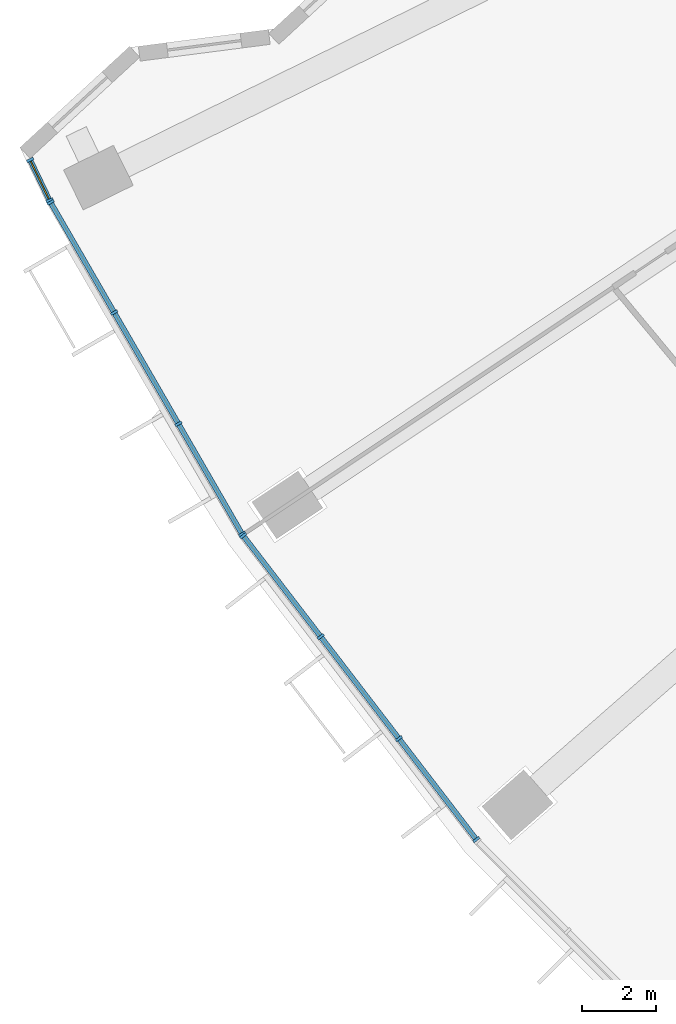
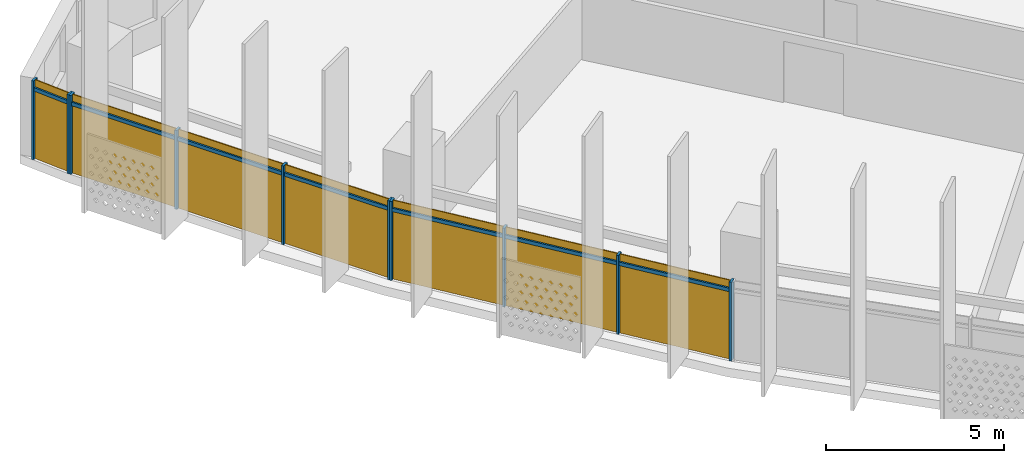
# One storey, part 20 of 33: 17 members, 3 curtain walls.
"""IFC4 building model written with IfcOpenShell, lengths in metres."""

from ifc_helpers import new_model, si_unit, direction, frame, origin, origin_2d, place, context, subcontext, project, spatial, rectangle, extrude, material, material_profile, profile_set, type_object, element, aggregate, save


model = new_model("IFC4")

# Units and contexts
model_context = context("Model", 3, precision=1e-05, world=origin(), true_north=direction((0.0, 1.0)))
body_context = subcontext(model_context, "Body", "Model", "MODEL_VIEW")
ifc_project = project(units=[si_unit("LENGTHUNIT", "METRE"), si_unit("AREAUNIT", "SQUARE_METRE"), si_unit("VOLUMEUNIT", "CUBIC_METRE"), si_unit("PLANEANGLEUNIT", "RADIAN"), si_unit("MASSUNIT", "GRAM", prefix="KILO")], contexts=[model_context])

# Member
ifc_material = material(Name="Aluminium 6063-T6 anodised", Category="aluminium")
ifc_material_profile_1 = material_profile(ifc_material, rectangle(XDim=0.199951171875, YDim=0.070068359375, at=origin_2d()))
ifc_profile_set_1 = profile_set([ifc_material_profile_1], Name="Aluminium 6063-T6 anodised")
member_type_1 = type_object("IfcMemberType", Name="Mullion 70 x 200 aluminium", PredefinedType="MULLION", material=ifc_profile_set_1)
site_placement = place(None, origin())
building_placement = place(site_placement, origin())
storey_placement = place(building_placement, frame((0.0, 0.0, 94.89990234375)))
member_1_placement = place(storey_placement, frame((-71.569091796875, -33.91162109375, 0.0), z_axis=(0.0, 0.0, 1.0), x_axis=(0.901455117112, 0.43287258152, 0.0)))
member_1 = element("IfcMember", 1, at=member_1_placement, type_object=member_type_1, Name="e-cw1-L20-out00/M00", PredefinedType="MULLION", context=body_context, shape_type="SweptSolid", body=[
    extrude(rectangle(XDim=0.199951171875, YDim=0.070068359375, at=origin_2d()), origin(), (0.0, 0.0, 1.0), 2.7001953125),
])

member_2_placement = place(storey_placement, frame((-71.047119140625, -34.99853515625, 0.0), z_axis=(0.0, 0.0, 1.0), x_axis=(0.901455117112, 0.43287258152, 0.0)))
member_2 = element("IfcMember", 2, at=member_2_placement, type_object=member_type_1, Name="e-cw1-L20-out00/M01", PredefinedType="MULLION", context=body_context, shape_type="SweptSolid", body=[
    extrude(rectangle(XDim=0.199951171875, YDim=0.070068359375, at=origin_2d()), origin(), (0.0, 0.0, 1.0), 2.7001953125),
])

member_3_placement = place(storey_placement, frame((-71.017822265625, -35.0537109375, 0.0), z_axis=(0.0, 0.0, 1.0), x_axis=(0.866025403784, 0.5, 0.0)))
member_3 = element("IfcMember", 3, at=member_3_placement, type_object=member_type_1, Name="e-cw1-L20-out01/M00", PredefinedType="MULLION", context=body_context, shape_type="SweptSolid", body=[
    extrude(rectangle(XDim=0.199951171875, YDim=0.070068359375, at=origin_2d()), origin(), (0.0, 0.0, 1.0), 2.7001953125),
])

member_4_placement = place(storey_placement, frame((-69.306640625, -38.017822265625, 0.0), z_axis=(0.0, 0.0, 1.0), x_axis=(0.866025403784, 0.5, 0.0)))
member_4 = element("IfcMember", 4, at=member_4_placement, type_object=member_type_1, Name="e-cw1-L20-out01/M01", PredefinedType="MULLION", context=body_context, shape_type="SweptSolid", body=[
    extrude(rectangle(XDim=0.199951171875, YDim=0.070068359375, at=origin_2d()), origin(), (0.0, 0.0, 1.0), 2.7001953125),
])

member_5_placement = place(storey_placement, frame((-67.577880859375, -41.01220703125, 0.0), z_axis=(0.0, 0.0, 1.0), x_axis=(0.866025403784, 0.5, 0.0)))
member_5 = element("IfcMember", 5, at=member_5_placement, type_object=member_type_1, Name="e-cw1-L20-out01/M02", PredefinedType="MULLION", context=body_context, shape_type="SweptSolid", body=[
    extrude(rectangle(XDim=0.199951171875, YDim=0.070068359375, at=origin_2d()), origin(), (0.0, 0.0, 1.0), 2.7001953125),
])

member_6_placement = place(storey_placement, frame((-65.866455078125, -43.976318359375, 0.0), z_axis=(0.0, 0.0, 1.0), x_axis=(0.866025403784, 0.5, 0.0)))
member_6 = element("IfcMember", 6, at=member_6_placement, type_object=member_type_1, Name="e-cw1-L20-out01/M03", PredefinedType="MULLION", context=body_context, shape_type="SweptSolid", body=[
    extrude(rectangle(XDim=0.199951171875, YDim=0.070068359375, at=origin_2d()), origin(), (0.0, 0.0, 1.0), 2.7001953125),
])

member_7_placement = place(storey_placement, frame((-65.8349609375, -44.023681640625, 0.0), z_axis=(0.0, 0.0, 1.0), x_axis=(0.793353340291, 0.608761429009, 0.0)))
member_7 = element("IfcMember", 7, at=member_7_placement, type_object=member_type_1, Name="e-cw1-L20-out02/M00", PredefinedType="MULLION", context=body_context, shape_type="SweptSolid", body=[
    extrude(rectangle(XDim=0.199951171875, YDim=0.070068359375, at=origin_2d()), origin(), (0.0, 0.0, 1.0), 2.7001953125),
])

member_8_placement = place(storey_placement, frame((-63.751220703125, -46.739013671875, 0.0), z_axis=(0.0, 0.0, 1.0), x_axis=(0.793353340291, 0.608761429009, 0.0)))
member_8 = element("IfcMember", 8, at=member_8_placement, type_object=member_type_1, Name="e-cw1-L20-out02/M01", PredefinedType="MULLION", context=body_context, shape_type="SweptSolid", body=[
    extrude(rectangle(XDim=0.199951171875, YDim=0.070068359375, at=origin_2d()), origin(), (0.0, 0.0, 1.0), 2.7001953125),
])

member_9_placement = place(storey_placement, frame((-61.646484375, -49.482177734375, 0.0), z_axis=(0.0, 0.0, 1.0), x_axis=(0.793353340291, 0.608761429009, 0.0)))
member_9 = element("IfcMember", 9, at=member_9_placement, type_object=member_type_1, Name="e-cw1-L20-out02/M02", PredefinedType="MULLION", context=body_context, shape_type="SweptSolid", body=[
    extrude(rectangle(XDim=0.199951171875, YDim=0.070068359375, at=origin_2d()), origin(), (0.0, 0.0, 1.0), 2.7001953125),
])

member_10_placement = place(storey_placement, frame((-59.56298828125, -52.197509765625, 0.0), z_axis=(0.0, 0.0, 1.0), x_axis=(0.793353340291, 0.608761429009, 0.0)))
member_10 = element("IfcMember", 10, at=member_10_placement, type_object=member_type_1, Name="e-cw1-L20-out02/M03", PredefinedType="MULLION", context=body_context, shape_type="SweptSolid", body=[
    extrude(rectangle(XDim=0.199951171875, YDim=0.070068359375, at=origin_2d()), origin(), (0.0, 0.0, 1.0), 2.7001953125),
])

ifc_material_profile_2 = material_profile(ifc_material, rectangle(XDim=0.139892578125, YDim=0.1201171875, at=origin_2d()))
ifc_profile_set_2 = profile_set([ifc_material_profile_2], Name="Aluminium 6063-T6 anodised")
member_type_2 = type_object("IfcMemberType", Name="Transom 120 x 140 aluminium", PredefinedType="USERDEFINED", material=ifc_profile_set_2)
member_11_placement = place(storey_placement, frame((-71.5537109375, -33.943115234375, 2.400146484375), z_axis=(0.43271010279, -0.90153312027, 0.0), x_axis=(0.90153312027, 0.43271010279, 0.0)))
member_11 = element("IfcMember", 11, at=member_11_placement, type_object=member_type_2, Name="e-cw1-L20-out00/T00", ObjectType="TRANSOM", PredefinedType="USERDEFINED", context=body_context, shape_type="SweptSolid", body=[
    extrude(rectangle(XDim=0.139892578125, YDim=0.1201171875, at=origin_2d()), origin(), (0.0, 0.0, 1.0), 1.1357421875),
])

member_12_placement = place(storey_placement, frame((-71.00048828125, -35.084228515625, 2.400146484375), z_axis=(0.50006283963, -0.865989120267, 0.0), x_axis=(0.865989120267, 0.50006283963, 0.0)))
member_12 = element("IfcMember", 12, at=member_12_placement, type_object=member_type_2, Name="e-cw1-L20-out01/T00", ObjectType="TRANSOM", PredefinedType="USERDEFINED", context=body_context, shape_type="SweptSolid", body=[
    extrude(rectangle(XDim=0.139892578125, YDim=0.1201171875, at=origin_2d()), origin(), (0.0, 0.0, 1.0), 3.3525390625),
])

member_13_placement = place(storey_placement, frame((-69.2890625, -38.048095703125, 2.400146484375), z_axis=(0.499999017107, -0.866025971257, 0.0), x_axis=(0.866025971257, 0.499999017107, 0.0)))
member_13 = element("IfcMember", 13, at=member_13_placement, type_object=member_type_2, Name="e-cw1-L20-out01/T01", ObjectType="TRANSOM", PredefinedType="USERDEFINED", context=body_context, shape_type="SweptSolid", body=[
    extrude(rectangle(XDim=0.139892578125, YDim=0.1201171875, at=origin_2d()), origin(), (0.0, 0.0, 1.0), 3.3876953125),
])

member_14_placement = place(storey_placement, frame((-67.560302734375, -41.042724609375, 2.400146484375), z_axis=(0.50000822536, -0.866020654818, 0.0), x_axis=(0.866020654818, 0.50000822536, 0.0)))
member_14 = element("IfcMember", 14, at=member_14_placement, type_object=member_type_2, Name="e-cw1-L20-out01/T02", ObjectType="TRANSOM", PredefinedType="USERDEFINED", context=body_context, shape_type="SweptSolid", body=[
    extrude(rectangle(XDim=0.139892578125, YDim=0.1201171875, at=origin_2d()), origin(), (0.0, 0.0, 1.0), 3.3525390625),
])

member_15_placement = place(storey_placement, frame((-65.8134765625, -44.05126953125, 2.400146484375), z_axis=(0.608714331426, -0.793389477316, 0.0), x_axis=(0.793389477316, 0.608714331426, 0.0)))
member_15 = element("IfcMember", 15, at=member_15_placement, type_object=member_type_2, Name="e-cw1-L20-out02/T00", ObjectType="TRANSOM", PredefinedType="USERDEFINED", context=body_context, shape_type="SweptSolid", body=[
    extrude(rectangle(XDim=0.139892578125, YDim=0.1201171875, at=origin_2d()), origin(), (0.0, 0.0, 1.0), 3.3525390625),
])

member_16_placement = place(storey_placement, frame((-63.72998046875, -46.766845703125, 2.400146484375), z_axis=(0.608773427772, -0.793344133173, 0.0), x_axis=(0.793344133173, 0.608773427772, 0.0)))
member_16 = element("IfcMember", 16, at=member_16_placement, type_object=member_type_2, Name="e-cw1-L20-out02/T01", ObjectType="TRANSOM", PredefinedType="USERDEFINED", context=body_context, shape_type="SweptSolid", body=[
    extrude(rectangle(XDim=0.139892578125, YDim=0.1201171875, at=origin_2d()), origin(), (0.0, 0.0, 1.0), 3.387451171875),
])

member_17_placement = place(storey_placement, frame((-61.625244140625, -49.509765625, 2.400146484375), z_axis=(0.608760167055, -0.793354308621, 0.0), x_axis=(0.793354308621, 0.608760167055, 0.0)))
member_17 = element("IfcMember", 17, at=member_17_placement, type_object=member_type_2, Name="e-cw1-L20-out02/T02", ObjectType="TRANSOM", PredefinedType="USERDEFINED", context=body_context, shape_type="SweptSolid", body=[
    extrude(rectangle(XDim=0.139892578125, YDim=0.1201171875, at=origin_2d()), origin(), (0.0, 0.0, 1.0), 3.352783203125),
])

# Site, building, storey
site = spatial("IfcSite", under=ifc_project, at=site_placement, CompositionType="ELEMENT")
building = spatial("IfcBuilding", under=site, at=building_placement, Name="Qamariyya Broadcast Tower", CompositionType="ELEMENT")
storey = spatial("IfcBuildingStorey", under=building, at=storey_placement, Name="L20", CompositionType="ELEMENT", Elevation=94.89990234375)

# Curtain wall
curtain_wall_type = type_object("IfcCurtainWallType", Name="Unitised curtain wall, anodised aluminium", PredefinedType="NOTDEFINED", material=ifc_material)
curtain_wall_1_placement = place(storey_placement, origin())
curtain_wall_1 = element("IfcCurtainWall", 18, at=curtain_wall_1_placement, inside=storey, type_object=curtain_wall_type, Name="e-cw1-L20-out00", PredefinedType="NOTDEFINED", context=body_context, shape_type="SweptSolid", body=[
    extrude(rectangle(XDim=1.1357421875, YDim=0.031982421875, at=origin_2d()), frame((-71.30810546875, -34.455078125, 0.0), x_axis=(0.432843040005, -0.90146930215, 0.0)), (0.0, 0.0, 1.0), 2.340087890625),
    extrude(rectangle(XDim=1.1357421875, YDim=0.031982421875, at=origin_2d()), frame((-71.30810546875, -34.455078125, 2.460205078125), x_axis=(0.432843040005, -0.90146930215, 0.0)), (0.0, 0.0, 1.0), 0.239990234375),
])

aggregate(curtain_wall_1, [member_1, member_2, member_11])

curtain_wall_2_placement = place(storey_placement, origin())
curtain_wall_2 = element("IfcCurtainWall", 19, at=curtain_wall_2_placement, inside=storey, type_object=curtain_wall_type, Name="e-cw1-L20-out01", PredefinedType="NOTDEFINED", context=body_context, shape_type="SweptSolid", body=[
    extrude(rectangle(XDim=3.352783203125, YDim=0.031982421875, at=origin_2d()), frame((-70.162109375, -36.535888671875, 0.0), x_axis=(0.499996813733, -0.866027243369, 0.0)), (0.0, 0.0, 1.0), 2.340087890625),
    extrude(rectangle(XDim=3.352783203125, YDim=0.031982421875, at=origin_2d()), frame((-70.162109375, -36.535888671875, 2.460205078125), x_axis=(0.499996813733, -0.866027243369, 0.0)), (0.0, 0.0, 1.0), 0.239990234375),
    extrude(rectangle(XDim=3.3876953125, YDim=0.031982421875, at=origin_2d()), frame((-68.442138671875, -39.51513671875, 0.0), x_axis=(0.499996813733, -0.866027243369, 0.0)), (0.0, 0.0, 1.0), 2.340087890625),
    extrude(rectangle(XDim=3.3876953125, YDim=0.031982421875, at=origin_2d()), frame((-68.442138671875, -39.51513671875, 2.460205078125), x_axis=(0.499996813733, -0.866027243369, 0.0)), (0.0, 0.0, 1.0), 0.239990234375),
    extrude(rectangle(XDim=3.352783203125, YDim=0.031982421875, at=origin_2d()), frame((-66.72216796875, -42.494384765625, 0.0), x_axis=(0.499996813733, -0.866027243369, 0.0)), (0.0, 0.0, 1.0), 2.340087890625),
    extrude(rectangle(XDim=3.352783203125, YDim=0.031982421875, at=origin_2d()), frame((-66.72216796875, -42.494384765625, 2.460205078125), x_axis=(0.499996813733, -0.866027243369, 0.0)), (0.0, 0.0, 1.0), 0.239990234375),
])

aggregate(curtain_wall_2, [member_3, member_4, member_5, member_6, member_12, member_13, member_14])

curtain_wall_3_placement = place(storey_placement, origin())
curtain_wall_3 = element("IfcCurtainWall", 20, at=curtain_wall_3_placement, inside=storey, type_object=curtain_wall_type, Name="e-cw1-L20-out02", PredefinedType="NOTDEFINED", context=body_context, shape_type="SweptSolid", body=[
    extrude(rectangle(XDim=3.352783203125, YDim=0.031982421875, at=origin_2d()), frame((-64.793212890625, -45.38134765625, 0.0), x_axis=(0.608760568165, -0.793354000839, 0.0)), (0.0, 0.0, 1.0), 2.340087890625),
    extrude(rectangle(XDim=3.352783203125, YDim=0.031982421875, at=origin_2d()), frame((-64.793212890625, -45.38134765625, 2.460205078125), x_axis=(0.608760568165, -0.793354000839, 0.0)), (0.0, 0.0, 1.0), 0.239990234375),
    extrude(rectangle(XDim=3.3876953125, YDim=0.031982421875, at=origin_2d()), frame((-62.69873046875, -48.110595703125, 0.0), x_axis=(0.608760568165, -0.793354000839, 0.0)), (0.0, 0.0, 1.0), 2.340087890625),
    extrude(rectangle(XDim=3.3876953125, YDim=0.031982421875, at=origin_2d()), frame((-62.69873046875, -48.110595703125, 2.460205078125), x_axis=(0.608760568165, -0.793354000839, 0.0)), (0.0, 0.0, 1.0), 0.239990234375),
    extrude(rectangle(XDim=3.352783203125, YDim=0.031982421875, at=origin_2d()), frame((-60.6044921875, -50.83984375, 0.0), x_axis=(0.608760568165, -0.793354000839, 0.0)), (0.0, 0.0, 1.0), 2.340087890625),
    extrude(rectangle(XDim=3.352783203125, YDim=0.031982421875, at=origin_2d()), frame((-60.6044921875, -50.83984375, 2.460205078125), x_axis=(0.608760568165, -0.793354000839, 0.0)), (0.0, 0.0, 1.0), 0.239990234375),
])

aggregate(curtain_wall_3, [member_7, member_8, member_9, member_10, member_15, member_16, member_17])

save(model, "model.ifc")
